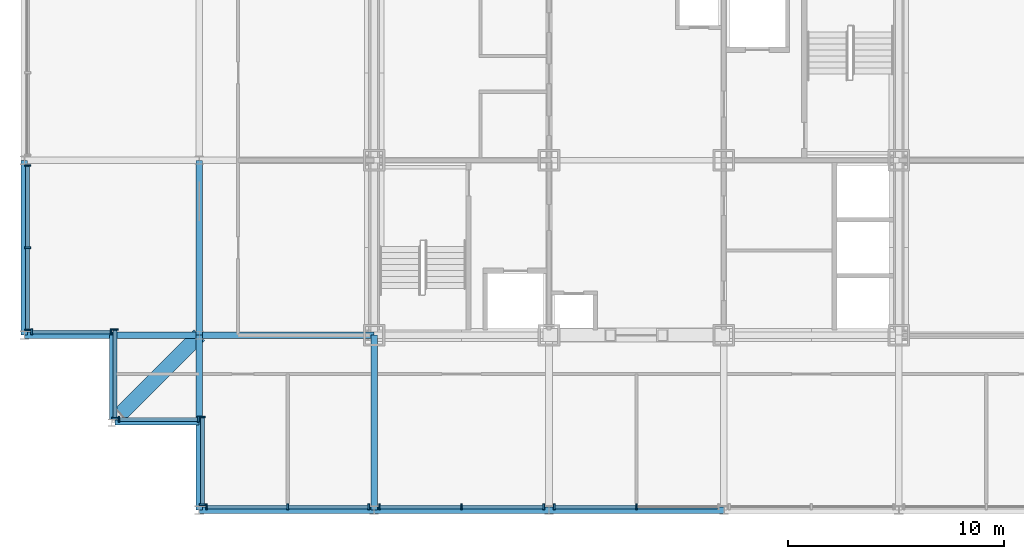
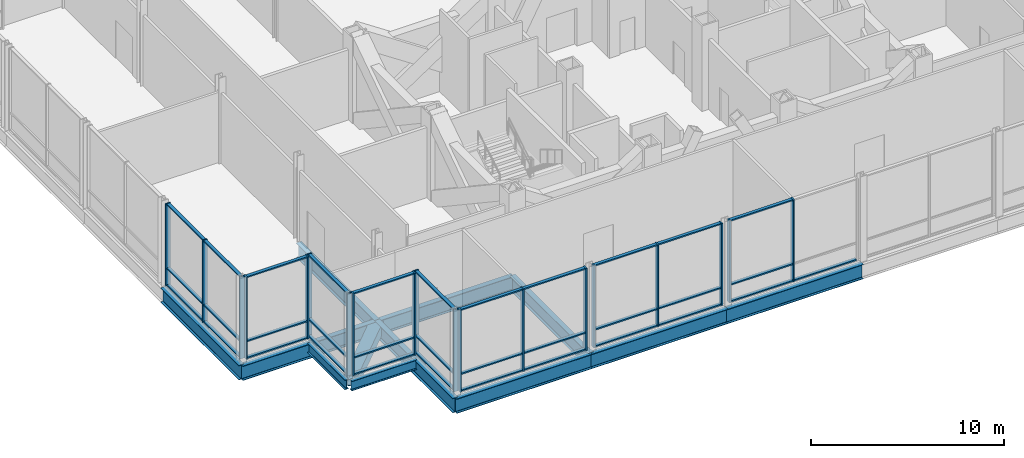
# One storey, part 5 of 21: 53 members, 12 beams, 8 elements without a shape of their own.
"""IFC4 building model written with IfcOpenShell, lengths in metres."""

from ifc_helpers import new_model, si_unit, direction, frame, origin, origin_2d, place, context, subcontext, project, spatial, rectangle, hollow_rectangle, i_section, extrude, material, material_profile, profile_set, type_object, element, aggregate, save


model = new_model("IFC4")

# Units and contexts
model_context = context("Model", 3, precision=1e-05, world=origin(), true_north=direction((0.0, 1.0)))
body_context = subcontext(model_context, "Body", "Model", "MODEL_VIEW")
ifc_project = project(units=[si_unit("LENGTHUNIT", "METRE"), si_unit("AREAUNIT", "SQUARE_METRE"), si_unit("VOLUMEUNIT", "CUBIC_METRE"), si_unit("PLANEANGLEUNIT", "RADIAN"), si_unit("MASSUNIT", "GRAM", prefix="KILO")], contexts=[model_context])

# Site, building, storey
site_placement = place(None, origin())
site = spatial("IfcSite", under=ifc_project, at=site_placement, CompositionType="ELEMENT")
building_placement = place(site_placement, origin())
building = spatial("IfcBuilding", under=site, at=building_placement, Name="Kopane Lantern Tower", CompositionType="ELEMENT")
storey_placement = place(building_placement, frame((0.0, 0.0, 298.5)))
storey = spatial("IfcBuildingStorey", under=building, at=storey_placement, Name="L76", CompositionType="ELEMENT", Elevation=298.5)

# Beams
ifc_material_1 = material(Name="Steel S355JR", Category="steel")
ifc_material_profile_1 = material_profile(ifc_material_1, hollow_rectangle(XDim=0.699951171875, YDim=0.699951171875, WallThickness=0.06005859375, at=origin_2d()), Name="BOX 700x700x60")
ifc_profile_set_1 = profile_set([ifc_material_profile_1], Name="Steel S355JR")
beam_type_1 = type_object("IfcBeamType", Name="CORNER TIE BEAM BOX 700x700x60", PredefinedType="BEAM", material=ifc_profile_set_1)
beam_1_placement = place(storey_placement, frame((4.447509765625, 20.6474609375, -0.56005859375), z_axis=(0.707106781187, 0.707106781187, 0.0), x_axis=(-0.707106781187, 0.707106781187, 0.0)))
element("IfcBeam", 1, at=beam_1_placement, inside=storey, type_object=beam_type_1, Name="Corner Tie Beam L76", PredefinedType="BEAM", context=body_context, shape_type="SweptSolid", body=[
    extrude(hollow_rectangle(XDim=0.699951171875, YDim=0.699951171875, WallThickness=0.06005859375, at=origin_2d()), origin(), (0.0, 0.0, 1.0), 5.16552734375),
])
ifc_material_2 = material(Name="Steel S355JR", Category="steel")
ifc_material_profile_2 = material_profile(ifc_material_2, i_section(OverallWidth=0.22900390625, OverallDepth=0.6123046875, WebThickness=0.011962890625, FlangeThickness=0.01953125, FilletRadius=0.0126953125, at=origin_2d()), Name="UB 610x229x125")
ifc_profile_set_2 = profile_set([ifc_material_profile_2], Name="Steel S355JR")
beam_type_2 = type_object("IfcBeamType", Name="EDGE BEAM UB 610x229x125", PredefinedType="BEAM", material=ifc_profile_set_2)
beam_2_placement = place(storey_placement, frame((4.050048828125, 20.40380859375, -0.51611328125), z_axis=(0.0, 1.0, 0.0), x_axis=(-1.0, 0.0, 0.0)))
element("IfcBeam", 2, at=beam_2_placement, inside=storey, type_object=beam_type_2, Name="Edge Beam L76", PredefinedType="BEAM", context=body_context, shape_type="SweptSolid", body=[
    extrude(i_section(OverallWidth=0.22900390625, OverallDepth=0.6123046875, WebThickness=0.011962890625, FlangeThickness=0.01953125, FilletRadius=0.0126953125, at=origin_2d()), origin(), (0.0, 0.0, 1.0), 3.896240234375),
])
beam_3_placement = place(storey_placement, frame((4.20361328125, 20.25, -0.51611328125), z_axis=(1.0, 0.0, 0.0), x_axis=(0.0, 1.0, 0.0)))
element("IfcBeam", 3, at=beam_3_placement, inside=storey, type_object=beam_type_2, Name="Edge Beam L76", PredefinedType="BEAM", context=body_context, shape_type="SweptSolid", body=[
    extrude(i_section(OverallWidth=0.22900390625, OverallDepth=0.6123046875, WebThickness=0.011962890625, FlangeThickness=0.01953125, FilletRadius=0.0126953125, at=origin_2d()), origin(), (0.0, 0.0, 1.0), 3.896484375),
])
ifc_material_3 = material(Name="Steel S355JR", Category="steel")
ifc_material_profile_3 = material_profile(ifc_material_3, i_section(OverallWidth=0.305419921875, OverallDepth=0.91845703125, WebThickness=0.017333984375, FlangeThickness=0.02783203125, FilletRadius=0.01904296875, at=origin_2d()), Name="UB 914x305x253")
ifc_profile_set_3 = profile_set([ifc_material_profile_3], Name="Steel S355JR")
beam_type_3 = type_object("IfcBeamType", Name="GIRDER UB 914x305x253", PredefinedType="BEAM", material=ifc_profile_set_3)
beam_4_placement = place(storey_placement, frame((0.0, 24.300048828125, -0.669189453125), z_axis=(0.0, 1.0, 0.0), x_axis=(-1.0, 0.0, 0.0)))
element("IfcBeam", 4, at=beam_4_placement, inside=storey, type_object=beam_type_3, Name="Girder L76", PredefinedType="BEAM", context=body_context, shape_type="SweptSolid", body=[
    extrude(i_section(OverallWidth=0.305419921875, OverallDepth=0.91845703125, WebThickness=0.017333984375, FlangeThickness=0.02783203125, FilletRadius=0.01904296875, at=origin_2d()), origin(), (0.0, 0.0, 1.0), 8.099853515625),
])
for number, where, z_axis, x_axis, name in (
    (5, (0.0, 24.300048828125, -0.669189453125), (1.0, 0.0, 0.0), (0.0, 1.0, 0.0), "Girder L76"),
    (6, (8.10009765625, 16.199951171875, -0.669189453125), (0.0, 1.0, 0.0), (-1.0, 0.0, 0.0), "Girder L76"),
):
    element("IfcBeam", number, at=place(storey_placement, frame(where, z_axis=z_axis, x_axis=x_axis)), inside=storey, type_object=beam_type_3, Name=name, PredefinedType="BEAM", context=body_context, shape_type="SweptSolid", body=[
        extrude(i_section(OverallWidth=0.305419921875, OverallDepth=0.91845703125, WebThickness=0.017333984375, FlangeThickness=0.02783203125, FilletRadius=0.01904296875, at=origin_2d()), origin(), (0.0, 0.0, 1.0), 8.10009765625),
    ])
for number, where, z_axis, x_axis, name in (
    (7, (8.10009765625, 16.199951171875, -0.669189453125), (1.0, 0.0, 0.0), (0.0, 1.0, 0.0), "Girder L76"),
    (8, (8.10009765625, 24.300048828125, -0.669189453125), (0.0, 1.0, 0.0), (-1.0, 0.0, 0.0), "Girder L76"),
    (9, (8.10009765625, 24.300048828125, -0.669189453125), (1.0, 0.0, 0.0), (0.0, 1.0, 0.0), "Girder L76"),
):
    element("IfcBeam", number, at=place(storey_placement, frame(where, z_axis=z_axis, x_axis=x_axis)), inside=storey, type_object=beam_type_3, Name=name, PredefinedType="BEAM", context=body_context, shape_type="SweptSolid", body=[
        extrude(i_section(OverallWidth=0.305419921875, OverallDepth=0.91845703125, WebThickness=0.017333984375, FlangeThickness=0.02783203125, FilletRadius=0.01904296875, at=origin_2d()), origin(), (0.0, 0.0, 1.0), 8.099853515625),
    ])
for number, where, z_axis, x_axis, name in (
    (10, (16.199951171875, 16.199951171875, -0.669189453125), (0.0, 1.0, 0.0), (-1.0, 0.0, 0.0), "Girder L76"),
    (11, (16.199951171875, 16.199951171875, -0.669189453125), (1.0, 0.0, 0.0), (0.0, 1.0, 0.0), "Girder L76"),
):
    element("IfcBeam", number, at=place(storey_placement, frame(where, z_axis=z_axis, x_axis=x_axis)), inside=storey, type_object=beam_type_3, Name=name, PredefinedType="BEAM", context=body_context, shape_type="SweptSolid", body=[
        extrude(i_section(OverallWidth=0.305419921875, OverallDepth=0.91845703125, WebThickness=0.017333984375, FlangeThickness=0.02783203125, FilletRadius=0.01904296875, at=origin_2d()), origin(), (0.0, 0.0, 1.0), 8.10009765625),
    ])
beam_5_placement = place(storey_placement, frame((24.300048828125, 16.199951171875, -0.669189453125), z_axis=(1.0, 0.0, 0.0), x_axis=(0.0, 1.0, 0.0)))
element("IfcBeam", 12, at=beam_5_placement, inside=storey, type_object=beam_type_3, Name="Girder L76", PredefinedType="BEAM", context=body_context, shape_type="SweptSolid", body=[
    extrude(i_section(OverallWidth=0.305419921875, OverallDepth=0.91845703125, WebThickness=0.017333984375, FlangeThickness=0.02783203125, FilletRadius=0.01904296875, at=origin_2d()), origin(), (0.0, 0.0, 1.0), 8.099853515625),
])

# Curtain wall, members
ifc_material_4 = material(Name="Aluminium and clear glass", Category="aluminium")
curtain_wall_type = type_object("IfcCurtainWallType", Name="CURTAIN WALL CW6 LANTERN CROWN", PredefinedType="USERDEFINED", material=ifc_material_4)
curtain_wall_1_placement = place(storey_placement, origin())
curtain_wall_1 = element("IfcCurtainWall", 13, at=curtain_wall_1_placement, inside=storey, type_object=curtain_wall_type, Name="Curtain wall CW6 S L76", ObjectType="CURTAIN WALL", PredefinedType="USERDEFINED")
ifc_material_5 = material(Name="Aluminium", Category="aluminium")
ifc_material_profile_4 = material_profile(ifc_material_5, rectangle(XDim=0.080078125, YDim=0.280029296875, at=origin_2d()), Name="AL 80x280")
ifc_profile_set_4 = profile_set([ifc_material_profile_4], Name="Aluminium")
member_type_1 = type_object("IfcMemberType", Name="MULLION CW6-M 80x280", PredefinedType="MULLION", material=ifc_profile_set_4)
member_1_placement = place(storey_placement, frame((8.43994140625, 16.35009765625, 0.0), z_axis=(0.0, 0.0, 1.0), x_axis=(1.0, 0.0, 0.0)))
member_1 = element("IfcMember", 14, at=member_1_placement, type_object=member_type_1, Name="CW6 mullion 1", PredefinedType="MULLION", context=body_context, shape_type="SweptSolid", body=[
    extrude(rectangle(XDim=0.080078125, YDim=0.280029296875, at=origin_2d()), origin(), (0.0, 0.0, 1.0), 5.18994140625),
])
member_2_placement = place(storey_placement, frame((12.19775390625, 16.35009765625, 0.0), z_axis=(0.0, 0.0, 1.0), x_axis=(1.0, 0.0, 0.0)))
member_2 = element("IfcMember", 15, at=member_2_placement, type_object=member_type_1, Name="CW6 mullion 2", PredefinedType="MULLION", context=body_context, shape_type="SweptSolid", body=[
    extrude(rectangle(XDim=0.080078125, YDim=0.280029296875, at=origin_2d()), origin(), (0.0, 0.0, 1.0), 5.18994140625),
])
member_3_placement = place(storey_placement, frame((15.95556640625, 16.35009765625, 0.0), z_axis=(0.0, 0.0, 1.0), x_axis=(1.0, 0.0, 0.0)))
member_3 = element("IfcMember", 16, at=member_3_placement, type_object=member_type_1, Name="CW6 mullion 3", PredefinedType="MULLION", context=body_context, shape_type="SweptSolid", body=[
    extrude(rectangle(XDim=0.080078125, YDim=0.280029296875, at=origin_2d()), origin(), (0.0, 0.0, 1.0), 5.18994140625),
])

curtain_wall_2_placement = place(storey_placement, origin())
curtain_wall_2 = element("IfcCurtainWall", 17, at=curtain_wall_2_placement, inside=storey, type_object=curtain_wall_type, Name="Curtain wall CW6 S L76", ObjectType="CURTAIN WALL", PredefinedType="USERDEFINED")
member_4_placement = place(storey_placement, frame((16.444580078125, 16.35009765625, 0.0), z_axis=(0.0, 0.0, 1.0), x_axis=(1.0, 0.0, 0.0)))
member_4 = element("IfcMember", 18, at=member_4_placement, type_object=member_type_1, Name="CW6 mullion 1", PredefinedType="MULLION", context=body_context, shape_type="SweptSolid", body=[
    extrude(rectangle(XDim=0.080078125, YDim=0.280029296875, at=origin_2d()), origin(), (0.0, 0.0, 1.0), 5.18994140625),
])
member_5_placement = place(storey_placement, frame((20.25, 16.35009765625, 0.0), z_axis=(0.0, 0.0, 1.0), x_axis=(1.0, 0.0, 0.0)))
member_5 = element("IfcMember", 19, at=member_5_placement, type_object=member_type_1, Name="CW6 mullion 2", PredefinedType="MULLION", context=body_context, shape_type="SweptSolid", body=[
    extrude(rectangle(XDim=0.080078125, YDim=0.280029296875, at=origin_2d()), origin(), (0.0, 0.0, 1.0), 5.18994140625),
])
member_6_placement = place(storey_placement, frame((24.055419921875, 16.35009765625, 0.0), z_axis=(0.0, 0.0, 1.0), x_axis=(1.0, 0.0, 0.0)))
member_6 = element("IfcMember", 20, at=member_6_placement, type_object=member_type_1, Name="CW6 mullion 3", PredefinedType="MULLION", context=body_context, shape_type="SweptSolid", body=[
    extrude(rectangle(XDim=0.080078125, YDim=0.280029296875, at=origin_2d()), origin(), (0.0, 0.0, 1.0), 5.18994140625),
])

curtain_wall_3_placement = place(storey_placement, origin())
curtain_wall_3 = element("IfcCurtainWall", 21, at=curtain_wall_3_placement, inside=storey, type_object=curtain_wall_type, Name="Curtain wall CW6 S L76", ObjectType="CURTAIN WALL", PredefinedType="USERDEFINED")
member_7_placement = place(storey_placement, frame((24.54443359375, 16.35009765625, 0.0), z_axis=(0.0, 0.0, 1.0), x_axis=(1.0, 0.0, 0.0)))
member_7 = element("IfcMember", 22, at=member_7_placement, type_object=member_type_1, Name="CW6 mullion 1", PredefinedType="MULLION", context=body_context, shape_type="SweptSolid", body=[
    extrude(rectangle(XDim=0.080078125, YDim=0.280029296875, at=origin_2d()), origin(), (0.0, 0.0, 1.0), 5.18994140625),
])
member_8_placement = place(storey_placement, frame((28.35009765625, 16.35009765625, 0.0), z_axis=(0.0, 0.0, 1.0), x_axis=(1.0, 0.0, 0.0)))
member_8 = element("IfcMember", 23, at=member_8_placement, type_object=member_type_1, Name="CW6 mullion 2", PredefinedType="MULLION", context=body_context, shape_type="SweptSolid", body=[
    extrude(rectangle(XDim=0.080078125, YDim=0.280029296875, at=origin_2d()), origin(), (0.0, 0.0, 1.0), 5.18994140625),
])

curtain_wall_4_placement = place(storey_placement, origin())
curtain_wall_4 = element("IfcCurtainWall", 24, at=curtain_wall_4_placement, inside=storey, type_object=curtain_wall_type, Name="Curtain wall CW6 W L76", ObjectType="CURTAIN WALL", PredefinedType="USERDEFINED")
member_9_placement = place(storey_placement, frame((0.14990234375, 32.158203125, 0.0), z_axis=(0.0, 0.0, 1.0), x_axis=(0.0, -1.0, 0.0)))
member_9 = element("IfcMember", 25, at=member_9_placement, type_object=member_type_1, Name="CW6 mullion 1", PredefinedType="MULLION", context=body_context, shape_type="SweptSolid", body=[
    extrude(rectangle(XDim=0.080078125, YDim=0.280029296875, at=origin_2d()), origin(), (0.0, 0.0, 1.0), 5.18994140625),
])
member_10_placement = place(storey_placement, frame((0.14990234375, 28.35009765625, 0.0), z_axis=(0.0, 0.0, 1.0), x_axis=(0.0, -1.0, 0.0)))
member_10 = element("IfcMember", 26, at=member_10_placement, type_object=member_type_1, Name="CW6 mullion 2", PredefinedType="MULLION", context=body_context, shape_type="SweptSolid", body=[
    extrude(rectangle(XDim=0.080078125, YDim=0.280029296875, at=origin_2d()), origin(), (0.0, 0.0, 1.0), 5.18994140625),
])
member_11_placement = place(storey_placement, frame((0.14990234375, 24.541748046875, 0.0), z_axis=(0.0, 0.0, 1.0), x_axis=(0.0, -1.0, 0.0)))
member_11 = element("IfcMember", 27, at=member_11_placement, type_object=member_type_1, Name="CW6 mullion 3", PredefinedType="MULLION", context=body_context, shape_type="SweptSolid", body=[
    extrude(rectangle(XDim=0.080078125, YDim=0.280029296875, at=origin_2d()), origin(), (0.0, 0.0, 1.0), 5.18994140625),
])

curtain_wall_5_placement = place(storey_placement, origin())
curtain_wall_5 = element("IfcCurtainWall", 28, at=curtain_wall_5_placement, inside=storey, type_object=curtain_wall_type, Name="Curtain wall CW6 S L76", ObjectType="CURTAIN WALL", PredefinedType="USERDEFINED")
member_12_placement = place(storey_placement, frame((0.340087890625, 24.449951171875, 0.0), z_axis=(0.0, 0.0, 1.0), x_axis=(1.0, 0.0, 0.0)))
member_12 = element("IfcMember", 29, at=member_12_placement, type_object=member_type_1, Name="CW6 mullion 1", PredefinedType="MULLION", context=body_context, shape_type="SweptSolid", body=[
    extrude(rectangle(XDim=0.080078125, YDim=0.280029296875, at=origin_2d()), origin(), (0.0, 0.0, 1.0), 5.18994140625),
])
member_13_placement = place(storey_placement, frame((4.010009765625, 24.449951171875, 0.0), z_axis=(0.0, 0.0, 1.0), x_axis=(1.0, 0.0, 0.0)))
member_13 = element("IfcMember", 30, at=member_13_placement, type_object=member_type_1, Name="CW6 mullion 2", PredefinedType="MULLION", context=body_context, shape_type="SweptSolid", body=[
    extrude(rectangle(XDim=0.080078125, YDim=0.280029296875, at=origin_2d()), origin(), (0.0, 0.0, 1.0), 5.18994140625),
])

curtain_wall_6_placement = place(storey_placement, origin())
curtain_wall_6 = element("IfcCurtainWall", 31, at=curtain_wall_6_placement, inside=storey, type_object=curtain_wall_type, Name="Curtain wall CW6 W L76", ObjectType="CURTAIN WALL", PredefinedType="USERDEFINED")
member_14_placement = place(storey_placement, frame((4.199951171875, 24.56005859375, 0.0), z_axis=(0.0, 0.0, 1.0), x_axis=(0.0, -1.0, 0.0)))
member_14 = element("IfcMember", 32, at=member_14_placement, type_object=member_type_1, Name="CW6 mullion 1", PredefinedType="MULLION", context=body_context, shape_type="SweptSolid", body=[
    extrude(rectangle(XDim=0.080078125, YDim=0.280029296875, at=origin_2d()), origin(), (0.0, 0.0, 1.0), 5.18994140625),
])
member_15_placement = place(storey_placement, frame((4.199951171875, 20.452392578125, 0.0), z_axis=(0.0, 0.0, 1.0), x_axis=(0.0, -1.0, 0.0)))
member_15 = element("IfcMember", 33, at=member_15_placement, type_object=member_type_1, Name="CW6 mullion 2", PredefinedType="MULLION", context=body_context, shape_type="SweptSolid", body=[
    extrude(rectangle(XDim=0.080078125, YDim=0.280029296875, at=origin_2d()), origin(), (0.0, 0.0, 1.0), 5.18994140625),
])

curtain_wall_7_placement = place(storey_placement, origin())
curtain_wall_7 = element("IfcCurtainWall", 34, at=curtain_wall_7_placement, inside=storey, type_object=curtain_wall_type, Name="Curtain wall CW6 S L76", ObjectType="CURTAIN WALL", PredefinedType="USERDEFINED")
member_16_placement = place(storey_placement, frame((4.389892578125, 20.39990234375, 0.0), z_axis=(0.0, 0.0, 1.0), x_axis=(1.0, 0.0, 0.0)))
member_16 = element("IfcMember", 35, at=member_16_placement, type_object=member_type_1, Name="CW6 mullion 1", PredefinedType="MULLION", context=body_context, shape_type="SweptSolid", body=[
    extrude(rectangle(XDim=0.080078125, YDim=0.280029296875, at=origin_2d()), origin(), (0.0, 0.0, 1.0), 5.18994140625),
])
member_17_placement = place(storey_placement, frame((8.06005859375, 20.39990234375, 0.0), z_axis=(0.0, 0.0, 1.0), x_axis=(1.0, 0.0, 0.0)))
member_17 = element("IfcMember", 36, at=member_17_placement, type_object=member_type_1, Name="CW6 mullion 2", PredefinedType="MULLION", context=body_context, shape_type="SweptSolid", body=[
    extrude(rectangle(XDim=0.080078125, YDim=0.280029296875, at=origin_2d()), origin(), (0.0, 0.0, 1.0), 5.18994140625),
])

curtain_wall_8_placement = place(storey_placement, origin())
curtain_wall_8 = element("IfcCurtainWall", 37, at=curtain_wall_8_placement, inside=storey, type_object=curtain_wall_type, Name="Curtain wall CW6 W L76", ObjectType="CURTAIN WALL", PredefinedType="USERDEFINED")
member_18_placement = place(storey_placement, frame((8.25, 20.510009765625, 0.0), z_axis=(0.0, 0.0, 1.0), x_axis=(0.0, -1.0, 0.0)))
member_18 = element("IfcMember", 38, at=member_18_placement, type_object=member_type_1, Name="CW6 mullion 1", PredefinedType="MULLION", context=body_context, shape_type="SweptSolid", body=[
    extrude(rectangle(XDim=0.080078125, YDim=0.280029296875, at=origin_2d()), origin(), (0.0, 0.0, 1.0), 5.18994140625),
])
member_19_placement = place(storey_placement, frame((8.25, 16.44189453125, 0.0), z_axis=(0.0, 0.0, 1.0), x_axis=(0.0, -1.0, 0.0)))
member_19 = element("IfcMember", 39, at=member_19_placement, type_object=member_type_1, Name="CW6 mullion 2", PredefinedType="MULLION", context=body_context, shape_type="SweptSolid", body=[
    extrude(rectangle(XDim=0.080078125, YDim=0.280029296875, at=origin_2d()), origin(), (0.0, 0.0, 1.0), 5.18994140625),
])

# Member
ifc_material_6 = material(Name="Aluminium", Category="aluminium")
ifc_material_profile_5 = material_profile(ifc_material_6, rectangle(XDim=0.18994140625, YDim=0.080078125, at=origin_2d()), Name="AL 190x80")
ifc_profile_set_5 = profile_set([ifc_material_profile_5], Name="Aluminium")
member_type_2 = type_object("IfcMemberType", Name="TRANSOM CW6-T 80x190", PredefinedType="USERDEFINED", material=ifc_profile_set_5)
member_20_placement = place(storey_placement, frame((8.47998046875, 16.35009765625, 0.0400390625), z_axis=(1.0, 0.0, 0.0), x_axis=(0.0, 1.0, 0.0)))
member_20 = element("IfcMember", 40, at=member_20_placement, type_object=member_type_2, Name="CW6 transom 1.1", ObjectType="TRANSOM", PredefinedType="USERDEFINED", context=body_context, shape_type="SweptSolid", body=[
    extrude(rectangle(XDim=0.18994140625, YDim=0.080078125, at=origin_2d()), origin(), (0.0, 0.0, 1.0), 3.677734375),
])

member_21_placement = place(storey_placement, frame((8.47998046875, 16.35009765625, 1.10009765625), z_axis=(1.0, 0.0, 0.0), x_axis=(0.0, 1.0, 0.0)))
member_21 = element("IfcMember", 41, at=member_21_placement, type_object=member_type_2, Name="CW6 transom 1.2", ObjectType="TRANSOM", PredefinedType="USERDEFINED", context=body_context, shape_type="SweptSolid", body=[
    extrude(rectangle(XDim=0.18994140625, YDim=0.080078125, at=origin_2d()), origin(), (0.0, 0.0, 1.0), 3.677734375),
])

member_22_placement = place(storey_placement, frame((8.47998046875, 16.35009765625, 5.14990234375), z_axis=(1.0, 0.0, 0.0), x_axis=(0.0, 1.0, 0.0)))
member_22 = element("IfcMember", 42, at=member_22_placement, type_object=member_type_2, Name="CW6 transom 1.3", ObjectType="TRANSOM", PredefinedType="USERDEFINED", context=body_context, shape_type="SweptSolid", body=[
    extrude(rectangle(XDim=0.18994140625, YDim=0.080078125, at=origin_2d()), origin(), (0.0, 0.0, 1.0), 3.677734375),
])

member_23_placement = place(storey_placement, frame((12.23779296875, 16.35009765625, 0.0400390625), z_axis=(1.0, 0.0, 0.0), x_axis=(0.0, 1.0, 0.0)))
member_23 = element("IfcMember", 43, at=member_23_placement, type_object=member_type_2, Name="CW6 transom 2.1", ObjectType="TRANSOM", PredefinedType="USERDEFINED", context=body_context, shape_type="SweptSolid", body=[
    extrude(rectangle(XDim=0.18994140625, YDim=0.080078125, at=origin_2d()), origin(), (0.0, 0.0, 1.0), 3.677734375),
])

member_24_placement = place(storey_placement, frame((12.23779296875, 16.35009765625, 1.10009765625), z_axis=(1.0, 0.0, 0.0), x_axis=(0.0, 1.0, 0.0)))
member_24 = element("IfcMember", 44, at=member_24_placement, type_object=member_type_2, Name="CW6 transom 2.2", ObjectType="TRANSOM", PredefinedType="USERDEFINED", context=body_context, shape_type="SweptSolid", body=[
    extrude(rectangle(XDim=0.18994140625, YDim=0.080078125, at=origin_2d()), origin(), (0.0, 0.0, 1.0), 3.677734375),
])

member_25_placement = place(storey_placement, frame((12.23779296875, 16.35009765625, 5.14990234375), z_axis=(1.0, 0.0, 0.0), x_axis=(0.0, 1.0, 0.0)))
member_25 = element("IfcMember", 45, at=member_25_placement, type_object=member_type_2, Name="CW6 transom 2.3", ObjectType="TRANSOM", PredefinedType="USERDEFINED", context=body_context, shape_type="SweptSolid", body=[
    extrude(rectangle(XDim=0.18994140625, YDim=0.080078125, at=origin_2d()), origin(), (0.0, 0.0, 1.0), 3.677734375),
])

aggregate(curtain_wall_1, [member_1, member_2, member_3, member_20, member_21, member_22, member_23, member_24, member_25])

member_26_placement = place(storey_placement, frame((16.484619140625, 16.35009765625, 0.0400390625), z_axis=(1.0, 0.0, 0.0), x_axis=(0.0, 1.0, 0.0)))
member_26 = element("IfcMember", 46, at=member_26_placement, type_object=member_type_2, Name="CW6 transom 1.1", ObjectType="TRANSOM", PredefinedType="USERDEFINED", context=body_context, shape_type="SweptSolid", body=[
    extrude(rectangle(XDim=0.18994140625, YDim=0.080078125, at=origin_2d()), origin(), (0.0, 0.0, 1.0), 3.725341796875),
])

member_27_placement = place(storey_placement, frame((16.484619140625, 16.35009765625, 1.10009765625), z_axis=(1.0, 0.0, 0.0), x_axis=(0.0, 1.0, 0.0)))
member_27 = element("IfcMember", 47, at=member_27_placement, type_object=member_type_2, Name="CW6 transom 1.2", ObjectType="TRANSOM", PredefinedType="USERDEFINED", context=body_context, shape_type="SweptSolid", body=[
    extrude(rectangle(XDim=0.18994140625, YDim=0.080078125, at=origin_2d()), origin(), (0.0, 0.0, 1.0), 3.725341796875),
])

member_28_placement = place(storey_placement, frame((16.484619140625, 16.35009765625, 5.14990234375), z_axis=(1.0, 0.0, 0.0), x_axis=(0.0, 1.0, 0.0)))
member_28 = element("IfcMember", 48, at=member_28_placement, type_object=member_type_2, Name="CW6 transom 1.3", ObjectType="TRANSOM", PredefinedType="USERDEFINED", context=body_context, shape_type="SweptSolid", body=[
    extrude(rectangle(XDim=0.18994140625, YDim=0.080078125, at=origin_2d()), origin(), (0.0, 0.0, 1.0), 3.725341796875),
])

member_29_placement = place(storey_placement, frame((20.2900390625, 16.35009765625, 0.0400390625), z_axis=(1.0, 0.0, 0.0), x_axis=(0.0, 1.0, 0.0)))
member_29 = element("IfcMember", 49, at=member_29_placement, type_object=member_type_2, Name="CW6 transom 2.1", ObjectType="TRANSOM", PredefinedType="USERDEFINED", context=body_context, shape_type="SweptSolid", body=[
    extrude(rectangle(XDim=0.18994140625, YDim=0.080078125, at=origin_2d()), origin(), (0.0, 0.0, 1.0), 3.725341796875),
])

member_30_placement = place(storey_placement, frame((20.2900390625, 16.35009765625, 1.10009765625), z_axis=(1.0, 0.0, 0.0), x_axis=(0.0, 1.0, 0.0)))
member_30 = element("IfcMember", 50, at=member_30_placement, type_object=member_type_2, Name="CW6 transom 2.2", ObjectType="TRANSOM", PredefinedType="USERDEFINED", context=body_context, shape_type="SweptSolid", body=[
    extrude(rectangle(XDim=0.18994140625, YDim=0.080078125, at=origin_2d()), origin(), (0.0, 0.0, 1.0), 3.725341796875),
])

member_31_placement = place(storey_placement, frame((20.2900390625, 16.35009765625, 5.14990234375), z_axis=(1.0, 0.0, 0.0), x_axis=(0.0, 1.0, 0.0)))
member_31 = element("IfcMember", 51, at=member_31_placement, type_object=member_type_2, Name="CW6 transom 2.3", ObjectType="TRANSOM", PredefinedType="USERDEFINED", context=body_context, shape_type="SweptSolid", body=[
    extrude(rectangle(XDim=0.18994140625, YDim=0.080078125, at=origin_2d()), origin(), (0.0, 0.0, 1.0), 3.725341796875),
])

aggregate(curtain_wall_2, [member_4, member_5, member_6, member_26, member_27, member_28, member_29, member_30, member_31])

member_32_placement = place(storey_placement, frame((24.58447265625, 16.35009765625, 0.0400390625), z_axis=(1.0, 0.0, 0.0), x_axis=(0.0, 1.0, 0.0)))
member_32 = element("IfcMember", 52, at=member_32_placement, type_object=member_type_2, Name="CW6 transom 1.1", ObjectType="TRANSOM", PredefinedType="USERDEFINED", context=body_context, shape_type="SweptSolid", body=[
    extrude(rectangle(XDim=0.18994140625, YDim=0.080078125, at=origin_2d()), origin(), (0.0, 0.0, 1.0), 3.7255859375),
])

member_33_placement = place(storey_placement, frame((24.58447265625, 16.35009765625, 1.10009765625), z_axis=(1.0, 0.0, 0.0), x_axis=(0.0, 1.0, 0.0)))
member_33 = element("IfcMember", 53, at=member_33_placement, type_object=member_type_2, Name="CW6 transom 1.2", ObjectType="TRANSOM", PredefinedType="USERDEFINED", context=body_context, shape_type="SweptSolid", body=[
    extrude(rectangle(XDim=0.18994140625, YDim=0.080078125, at=origin_2d()), origin(), (0.0, 0.0, 1.0), 3.7255859375),
])

member_34_placement = place(storey_placement, frame((24.58447265625, 16.35009765625, 5.14990234375), z_axis=(1.0, 0.0, 0.0), x_axis=(0.0, 1.0, 0.0)))
member_34 = element("IfcMember", 54, at=member_34_placement, type_object=member_type_2, Name="CW6 transom 1.3", ObjectType="TRANSOM", PredefinedType="USERDEFINED", context=body_context, shape_type="SweptSolid", body=[
    extrude(rectangle(XDim=0.18994140625, YDim=0.080078125, at=origin_2d()), origin(), (0.0, 0.0, 1.0), 3.7255859375),
])

member_35_placement = place(storey_placement, frame((28.389892578125, 16.35009765625, 0.0400390625), z_axis=(1.0, 0.0, 0.0), x_axis=(0.0, 1.0, 0.0)))
member_35 = element("IfcMember", 55, at=member_35_placement, type_object=member_type_2, Name="CW6 transom 2.1", ObjectType="TRANSOM", PredefinedType="USERDEFINED", context=body_context, shape_type="SweptSolid", body=[
    extrude(rectangle(XDim=0.18994140625, YDim=0.080078125, at=origin_2d()), origin(), (0.0, 0.0, 1.0), 3.7255859375),
])

aggregate(curtain_wall_3, [member_7, member_8, member_32, member_33, member_34, member_35])

member_36_placement = place(storey_placement, frame((0.14990234375, 32.1181640625, 0.0400390625), z_axis=(0.0, -1.0, 0.0), x_axis=(1.0, 0.0, 0.0)))
member_36 = element("IfcMember", 56, at=member_36_placement, type_object=member_type_2, Name="CW6 transom 1.1", ObjectType="TRANSOM", PredefinedType="USERDEFINED", context=body_context, shape_type="SweptSolid", body=[
    extrude(rectangle(XDim=0.18994140625, YDim=0.080078125, at=origin_2d()), origin(), (0.0, 0.0, 1.0), 3.728271484375),
])

member_37_placement = place(storey_placement, frame((0.14990234375, 32.1181640625, 1.10009765625), z_axis=(0.0, -1.0, 0.0), x_axis=(1.0, 0.0, 0.0)))
member_37 = element("IfcMember", 57, at=member_37_placement, type_object=member_type_2, Name="CW6 transom 1.2", ObjectType="TRANSOM", PredefinedType="USERDEFINED", context=body_context, shape_type="SweptSolid", body=[
    extrude(rectangle(XDim=0.18994140625, YDim=0.080078125, at=origin_2d()), origin(), (0.0, 0.0, 1.0), 3.728271484375),
])

member_38_placement = place(storey_placement, frame((0.14990234375, 32.1181640625, 5.14990234375), z_axis=(0.0, -1.0, 0.0), x_axis=(1.0, 0.0, 0.0)))
member_38 = element("IfcMember", 58, at=member_38_placement, type_object=member_type_2, Name="CW6 transom 1.3", ObjectType="TRANSOM", PredefinedType="USERDEFINED", context=body_context, shape_type="SweptSolid", body=[
    extrude(rectangle(XDim=0.18994140625, YDim=0.080078125, at=origin_2d()), origin(), (0.0, 0.0, 1.0), 3.728271484375),
])

member_39_placement = place(storey_placement, frame((0.14990234375, 28.31005859375, 0.0400390625), z_axis=(0.0, -1.0, 0.0), x_axis=(1.0, 0.0, 0.0)))
member_39 = element("IfcMember", 59, at=member_39_placement, type_object=member_type_2, Name="CW6 transom 2.1", ObjectType="TRANSOM", PredefinedType="USERDEFINED", context=body_context, shape_type="SweptSolid", body=[
    extrude(rectangle(XDim=0.18994140625, YDim=0.080078125, at=origin_2d()), origin(), (0.0, 0.0, 1.0), 3.728271484375),
])

member_40_placement = place(storey_placement, frame((0.14990234375, 28.31005859375, 1.10009765625), z_axis=(0.0, -1.0, 0.0), x_axis=(1.0, 0.0, 0.0)))
member_40 = element("IfcMember", 60, at=member_40_placement, type_object=member_type_2, Name="CW6 transom 2.2", ObjectType="TRANSOM", PredefinedType="USERDEFINED", context=body_context, shape_type="SweptSolid", body=[
    extrude(rectangle(XDim=0.18994140625, YDim=0.080078125, at=origin_2d()), origin(), (0.0, 0.0, 1.0), 3.728271484375),
])

member_41_placement = place(storey_placement, frame((0.14990234375, 28.31005859375, 5.14990234375), z_axis=(0.0, -1.0, 0.0), x_axis=(1.0, 0.0, 0.0)))
member_41 = element("IfcMember", 61, at=member_41_placement, type_object=member_type_2, Name="CW6 transom 2.3", ObjectType="TRANSOM", PredefinedType="USERDEFINED", context=body_context, shape_type="SweptSolid", body=[
    extrude(rectangle(XDim=0.18994140625, YDim=0.080078125, at=origin_2d()), origin(), (0.0, 0.0, 1.0), 3.728271484375),
])

aggregate(curtain_wall_4, [member_9, member_10, member_11, member_36, member_37, member_38, member_39, member_40, member_41])

member_42_placement = place(storey_placement, frame((0.3798828125, 24.449951171875, 0.0400390625), z_axis=(1.0, 0.0, 0.0), x_axis=(0.0, 1.0, 0.0)))
member_42 = element("IfcMember", 62, at=member_42_placement, type_object=member_type_2, Name="CW6 transom 1.1", ObjectType="TRANSOM", PredefinedType="USERDEFINED", context=body_context, shape_type="SweptSolid", body=[
    extrude(rectangle(XDim=0.18994140625, YDim=0.080078125, at=origin_2d()), origin(), (0.0, 0.0, 1.0), 3.590087890625),
])

member_43_placement = place(storey_placement, frame((0.3798828125, 24.449951171875, 1.10009765625), z_axis=(1.0, 0.0, 0.0), x_axis=(0.0, 1.0, 0.0)))
member_43 = element("IfcMember", 63, at=member_43_placement, type_object=member_type_2, Name="CW6 transom 1.2", ObjectType="TRANSOM", PredefinedType="USERDEFINED", context=body_context, shape_type="SweptSolid", body=[
    extrude(rectangle(XDim=0.18994140625, YDim=0.080078125, at=origin_2d()), origin(), (0.0, 0.0, 1.0), 3.590087890625),
])

member_44_placement = place(storey_placement, frame((0.3798828125, 24.449951171875, 5.14990234375), z_axis=(1.0, 0.0, 0.0), x_axis=(0.0, 1.0, 0.0)))
member_44 = element("IfcMember", 64, at=member_44_placement, type_object=member_type_2, Name="CW6 transom 1.3", ObjectType="TRANSOM", PredefinedType="USERDEFINED", context=body_context, shape_type="SweptSolid", body=[
    extrude(rectangle(XDim=0.18994140625, YDim=0.080078125, at=origin_2d()), origin(), (0.0, 0.0, 1.0), 3.590087890625),
])

aggregate(curtain_wall_5, [member_12, member_13, member_42, member_43, member_44])

member_45_placement = place(storey_placement, frame((4.199951171875, 24.52001953125, 0.0400390625), z_axis=(0.0, -1.0, 0.0), x_axis=(1.0, 0.0, 0.0)))
member_45 = element("IfcMember", 65, at=member_45_placement, type_object=member_type_2, Name="CW6 transom 1.1", ObjectType="TRANSOM", PredefinedType="USERDEFINED", context=body_context, shape_type="SweptSolid", body=[
    extrude(rectangle(XDim=0.18994140625, YDim=0.080078125, at=origin_2d()), origin(), (0.0, 0.0, 1.0), 4.02783203125),
])

member_46_placement = place(storey_placement, frame((4.199951171875, 24.52001953125, 1.10009765625), z_axis=(0.0, -1.0, 0.0), x_axis=(1.0, 0.0, 0.0)))
member_46 = element("IfcMember", 66, at=member_46_placement, type_object=member_type_2, Name="CW6 transom 1.2", ObjectType="TRANSOM", PredefinedType="USERDEFINED", context=body_context, shape_type="SweptSolid", body=[
    extrude(rectangle(XDim=0.18994140625, YDim=0.080078125, at=origin_2d()), origin(), (0.0, 0.0, 1.0), 4.02783203125),
])

member_47_placement = place(storey_placement, frame((4.199951171875, 24.52001953125, 5.14990234375), z_axis=(0.0, -1.0, 0.0), x_axis=(1.0, 0.0, 0.0)))
member_47 = element("IfcMember", 67, at=member_47_placement, type_object=member_type_2, Name="CW6 transom 1.3", ObjectType="TRANSOM", PredefinedType="USERDEFINED", context=body_context, shape_type="SweptSolid", body=[
    extrude(rectangle(XDim=0.18994140625, YDim=0.080078125, at=origin_2d()), origin(), (0.0, 0.0, 1.0), 4.02783203125),
])

aggregate(curtain_wall_6, [member_14, member_15, member_45, member_46, member_47])

member_48_placement = place(storey_placement, frame((4.429931640625, 20.39990234375, 0.0400390625), z_axis=(1.0, 0.0, 0.0), x_axis=(0.0, 1.0, 0.0)))
member_48 = element("IfcMember", 68, at=member_48_placement, type_object=member_type_2, Name="CW6 transom 1.1", ObjectType="TRANSOM", PredefinedType="USERDEFINED", context=body_context, shape_type="SweptSolid", body=[
    extrude(rectangle(XDim=0.18994140625, YDim=0.080078125, at=origin_2d()), origin(), (0.0, 0.0, 1.0), 3.590087890625),
])

member_49_placement = place(storey_placement, frame((4.429931640625, 20.39990234375, 1.10009765625), z_axis=(1.0, 0.0, 0.0), x_axis=(0.0, 1.0, 0.0)))
member_49 = element("IfcMember", 69, at=member_49_placement, type_object=member_type_2, Name="CW6 transom 1.2", ObjectType="TRANSOM", PredefinedType="USERDEFINED", context=body_context, shape_type="SweptSolid", body=[
    extrude(rectangle(XDim=0.18994140625, YDim=0.080078125, at=origin_2d()), origin(), (0.0, 0.0, 1.0), 3.590087890625),
])

member_50_placement = place(storey_placement, frame((4.429931640625, 20.39990234375, 5.14990234375), z_axis=(1.0, 0.0, 0.0), x_axis=(0.0, 1.0, 0.0)))
member_50 = element("IfcMember", 70, at=member_50_placement, type_object=member_type_2, Name="CW6 transom 1.3", ObjectType="TRANSOM", PredefinedType="USERDEFINED", context=body_context, shape_type="SweptSolid", body=[
    extrude(rectangle(XDim=0.18994140625, YDim=0.080078125, at=origin_2d()), origin(), (0.0, 0.0, 1.0), 3.590087890625),
])

aggregate(curtain_wall_7, [member_16, member_17, member_48, member_49, member_50])

member_51_placement = place(storey_placement, frame((8.25, 20.469970703125, 0.0400390625), z_axis=(0.0, -1.0, 0.0), x_axis=(1.0, 0.0, 0.0)))
member_51 = element("IfcMember", 71, at=member_51_placement, type_object=member_type_2, Name="CW6 transom 1.1", ObjectType="TRANSOM", PredefinedType="USERDEFINED", context=body_context, shape_type="SweptSolid", body=[
    extrude(rectangle(XDim=0.18994140625, YDim=0.080078125, at=origin_2d()), origin(), (0.0, 0.0, 1.0), 3.98828125),
])

member_52_placement = place(storey_placement, frame((8.25, 20.469970703125, 1.10009765625), z_axis=(0.0, -1.0, 0.0), x_axis=(1.0, 0.0, 0.0)))
member_52 = element("IfcMember", 72, at=member_52_placement, type_object=member_type_2, Name="CW6 transom 1.2", ObjectType="TRANSOM", PredefinedType="USERDEFINED", context=body_context, shape_type="SweptSolid", body=[
    extrude(rectangle(XDim=0.18994140625, YDim=0.080078125, at=origin_2d()), origin(), (0.0, 0.0, 1.0), 3.98828125),
])

member_53_placement = place(storey_placement, frame((8.25, 20.469970703125, 5.14990234375), z_axis=(0.0, -1.0, 0.0), x_axis=(1.0, 0.0, 0.0)))
member_53 = element("IfcMember", 73, at=member_53_placement, type_object=member_type_2, Name="CW6 transom 1.3", ObjectType="TRANSOM", PredefinedType="USERDEFINED", context=body_context, shape_type="SweptSolid", body=[
    extrude(rectangle(XDim=0.18994140625, YDim=0.080078125, at=origin_2d()), origin(), (0.0, 0.0, 1.0), 3.98828125),
])

aggregate(curtain_wall_8, [member_18, member_19, member_51, member_52, member_53])

save(model, "model.ifc")
